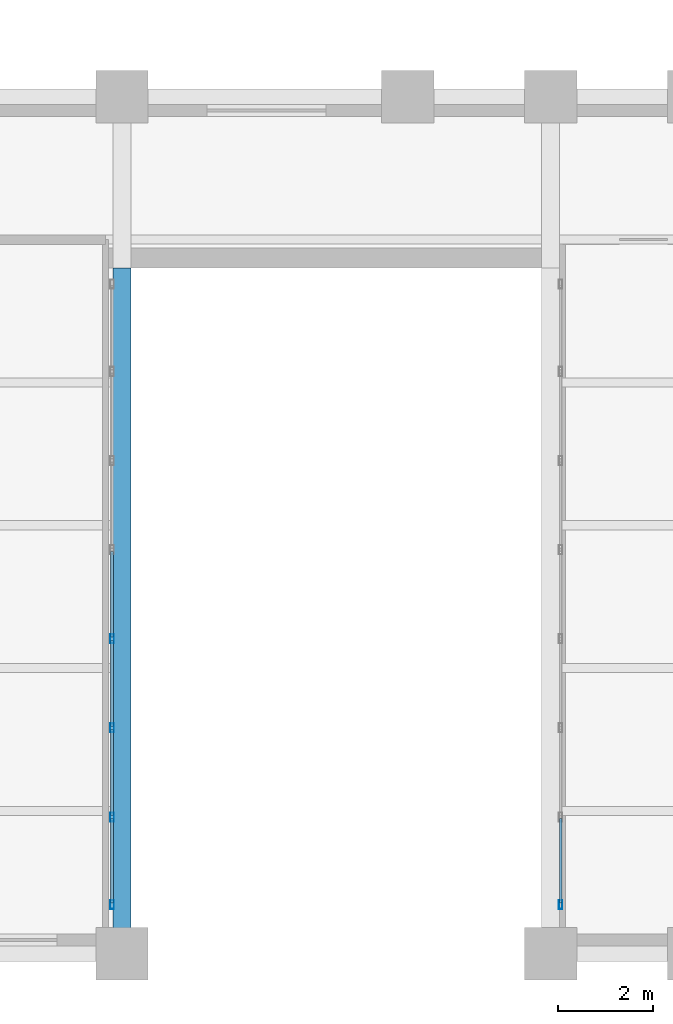
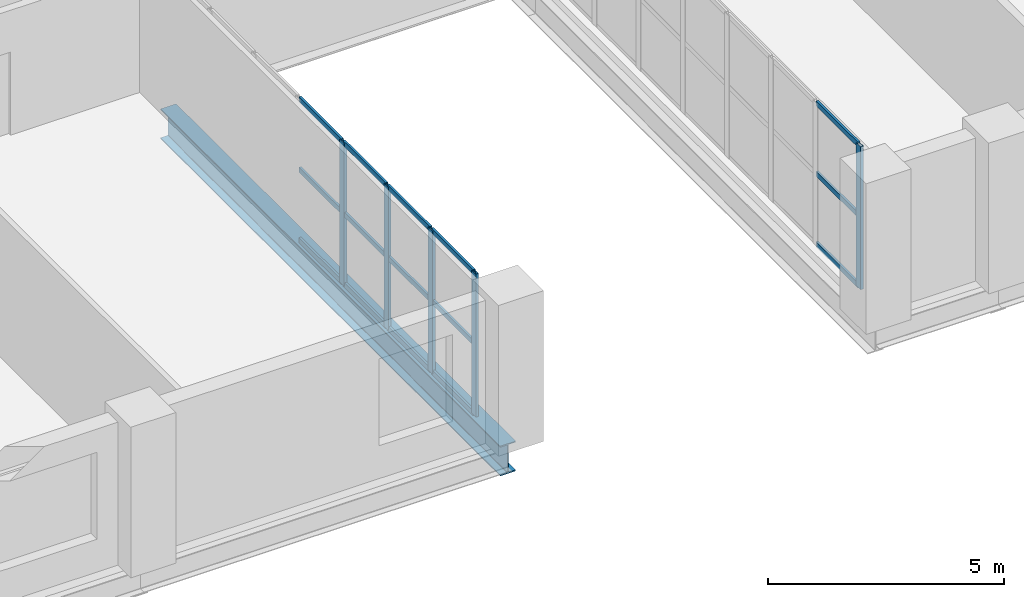
# One storey, part 2 of 10: 20 members, 1 beam, 2 elements without a shape of their own.
"""IFC4 building model written with IfcOpenShell, lengths in metres."""

from ifc_helpers import new_model, si_unit, direction, frame, origin, origin_2d, place, context, subcontext, project, spatial, hollow_rectangle, i_section, extrude, material, layer, layer_set, material_profile, profile_set, type_object, element, aggregate, save


model = new_model("IFC4")

# Units and contexts
model_context = context("Model", 3, precision=1e-05, world=origin(), true_north=direction((0.0, 1.0)))
body_context = subcontext(model_context, "Body", "Model", "MODEL_VIEW")
ifc_project = project(units=[si_unit("LENGTHUNIT", "METRE"), si_unit("AREAUNIT", "SQUARE_METRE"), si_unit("VOLUMEUNIT", "CUBIC_METRE"), si_unit("PLANEANGLEUNIT", "RADIAN"), si_unit("MASSUNIT", "GRAM", prefix="KILO")], contexts=[model_context])

# Site, building, storey
site_placement = place(None, origin())
site = spatial("IfcSite", under=ifc_project, at=site_placement, CompositionType="ELEMENT")
building_placement = place(site_placement, origin())
building = spatial("IfcBuilding", under=site, at=building_placement, Name="Mawjdan Bourse Tower", CompositionType="ELEMENT")
storey_placement = place(building_placement, frame((0.0, 0.0, 124.5)))
storey = spatial("IfcBuildingStorey", under=building, at=storey_placement, Name="L29", CompositionType="ELEMENT", Elevation=124.5)

# Beam
ifc_material_1 = material(Name="Structural Steel S355", Category="steel")
ifc_material_profile_1 = material_profile(ifc_material_1, i_section(OverallWidth=0.381103515625, OverallDepth=0.77294921875, WebThickness=0.0166015625, FlangeThickness=0.027099609375, FilletRadius=0.021728515625, at=origin_2d()), Name="W30X173")
ifc_profile_set_1 = profile_set([ifc_material_profile_1], Name="Structural Steel S355")
beam_type = type_object("IfcBeamType", Name="GRD-W30X173", PredefinedType="BEAM", material=ifc_profile_set_1)
beam_placement = place(storey_placement, frame((42.0, 3.0, -0.58642578125), z_axis=(0.0, 1.0, 0.0), x_axis=(-1.0, 0.0, 0.0)))
element("IfcBeam", 1, at=beam_placement, inside=storey, type_object=beam_type, Name="L29 East Wing Clear-Span Girder 003", PredefinedType="BEAM", context=body_context, shape_type="SweptSolid", body=[
    extrude(i_section(OverallWidth=0.381103515625, OverallDepth=0.77294921875, WebThickness=0.0166015625, FlangeThickness=0.027099609375, FilletRadius=0.021728515625, at=origin_2d()), origin(), (0.0, 0.0, 1.0), 14.39990234375),
])

# Curtain wall, members
ifc_material_2 = material(Name="Thermally Broken Aluminium and Solar Glass", Category="aluminium")
ifc_layer = layer(ifc_material_2, 0.219970703125)
ifc_layer_set = layer_set([ifc_layer], Name="Thermally Broken Aluminium and Solar Glass")
curtain_wall_type = type_object("IfcCurtainWallType", Name="CW-POR", PredefinedType="USERDEFINED", material=ifc_layer_set)
curtain_wall_1_placement = place(storey_placement, origin())
curtain_wall_1 = element("IfcCurtainWall", 2, at=curtain_wall_1_placement, inside=storey, type_object=curtain_wall_type, Name="L29 East Void Portal Glazed Cheek 1", ObjectType="VOID PORTAL CURTAIN WALL", PredefinedType="USERDEFINED")
ifc_material_3 = material(Name="Thermally Broken Anodised Aluminium", Category="aluminium")
ifc_material_profile_2 = material_profile(ifc_material_3, hollow_rectangle(XDim=0.070068359375, YDim=0.18994140625, WallThickness=0.00439453125, at=origin_2d()), Name="ALU-MUL-190X70")
ifc_profile_set_2 = profile_set([ifc_material_profile_2], Name="Thermally Broken Anodised Aluminium")
member_type_1 = type_object("IfcMemberType", Name="MUL-ALU-MUL-190X70", PredefinedType="MULLION", material=ifc_profile_set_2)
member_1_placement = place(storey_placement, frame((41.7900390625, 4.034912109375, 0.0), z_axis=(0.0, 0.0, 1.0), x_axis=(-1.0, 0.0, 0.0)))
member_1 = element("IfcMember", 3, at=member_1_placement, type_object=member_type_1, Name="CW-POR-L29-POR-E1 mullion 1", PredefinedType="MULLION", context=body_context, shape_type="SweptSolid", body=[
    extrude(hollow_rectangle(XDim=0.070068359375, YDim=0.18994140625, WallThickness=0.00439453125, at=origin_2d()), origin(), (0.0, 0.0, 1.0), 3.699951171875),
])
member_2_placement = place(storey_placement, frame((41.7900390625, 5.871337890625, 0.0), z_axis=(0.0, 0.0, 1.0), x_axis=(-1.0, 0.0, 0.0)))
member_2 = element("IfcMember", 4, at=member_2_placement, type_object=member_type_1, Name="CW-POR-L29-POR-E1 mullion 2", PredefinedType="MULLION", context=body_context, shape_type="SweptSolid", body=[
    extrude(hollow_rectangle(XDim=0.070068359375, YDim=0.18994140625, WallThickness=0.00439453125, at=origin_2d()), origin(), (0.0, 0.0, 1.0), 3.699951171875),
])
member_3_placement = place(storey_placement, frame((41.7900390625, 7.742919921875, 0.0), z_axis=(0.0, 0.0, 1.0), x_axis=(-1.0, 0.0, 0.0)))
member_3 = element("IfcMember", 5, at=member_3_placement, type_object=member_type_1, Name="CW-POR-L29-POR-E1 mullion 3", PredefinedType="MULLION", context=body_context, shape_type="SweptSolid", body=[
    extrude(hollow_rectangle(XDim=0.070068359375, YDim=0.18994140625, WallThickness=0.00439453125, at=origin_2d()), origin(), (0.0, 0.0, 1.0), 3.699951171875),
])
member_4_placement = place(storey_placement, frame((41.7900390625, 9.6142578125, 0.0), z_axis=(0.0, 0.0, 1.0), x_axis=(-1.0, 0.0, 0.0)))
member_4 = element("IfcMember", 6, at=member_4_placement, type_object=member_type_1, Name="CW-POR-L29-POR-E1 mullion 4", PredefinedType="MULLION", context=body_context, shape_type="SweptSolid", body=[
    extrude(hollow_rectangle(XDim=0.070068359375, YDim=0.18994140625, WallThickness=0.00439453125, at=origin_2d()), origin(), (0.0, 0.0, 1.0), 3.699951171875),
])

# Curtain wall, member
curtain_wall_2_placement = place(storey_placement, origin())
curtain_wall_2 = element("IfcCurtainWall", 7, at=curtain_wall_2_placement, inside=storey, type_object=curtain_wall_type, Name="L29 East Void Portal Glazed Cheek 3", ObjectType="VOID PORTAL CURTAIN WALL", PredefinedType="USERDEFINED")
member_5_placement = place(storey_placement, frame((51.2099609375, 4.034912109375, 0.0), z_axis=(0.0, 0.0, 1.0), x_axis=(1.0, 0.0, 0.0)))
member_5 = element("IfcMember", 8, at=member_5_placement, type_object=member_type_1, Name="CW-POR-L29-POR-E3 mullion 8", PredefinedType="MULLION", context=body_context, shape_type="SweptSolid", body=[
    extrude(hollow_rectangle(XDim=0.070068359375, YDim=0.18994140625, WallThickness=0.00439453125, at=origin_2d()), origin(), (0.0, 0.0, 1.0), 3.699951171875),
])

# Member
ifc_material_profile_3 = material_profile(ifc_material_3, hollow_rectangle(XDim=0.054931640625, YDim=0.1298828125, WallThickness=0.00341796875, at=origin_2d()), Name="ALU-TRN-130X55")
ifc_profile_set_3 = profile_set([ifc_material_profile_3], Name="Thermally Broken Anodised Aluminium")
member_type_2 = type_object("IfcMemberType", Name="TRN-ALU-TRN-130X55", PredefinedType="USERDEFINED", material=ifc_profile_set_3)
member_6_placement = place(storey_placement, frame((41.7900390625, 4.070068359375, 0.027587890625), z_axis=(0.0, 1.0, 0.0), x_axis=(-1.0, 0.0, 0.0)))
member_6 = element("IfcMember", 9, at=member_6_placement, type_object=member_type_2, Name="CW-POR-L29-POR-E1 transom 1.1", ObjectType="TRANSOM", PredefinedType="USERDEFINED", context=body_context, shape_type="SweptSolid", body=[
    extrude(hollow_rectangle(XDim=0.054931640625, YDim=0.1298828125, WallThickness=0.00341796875, at=origin_2d()), origin(), (0.0, 0.0, 1.0), 1.766357421875),
])

member_7_placement = place(storey_placement, frame((41.7900390625, 4.070068359375, 1.85009765625), z_axis=(0.0, 1.0, 0.0), x_axis=(-1.0, 0.0, 0.0)))
member_7 = element("IfcMember", 10, at=member_7_placement, type_object=member_type_2, Name="CW-POR-L29-POR-E1 transom 1.2", ObjectType="TRANSOM", PredefinedType="USERDEFINED", context=body_context, shape_type="SweptSolid", body=[
    extrude(hollow_rectangle(XDim=0.054931640625, YDim=0.1298828125, WallThickness=0.00341796875, at=origin_2d()), origin(), (0.0, 0.0, 1.0), 1.766357421875),
])

member_8_placement = place(storey_placement, frame((41.7900390625, 4.070068359375, 3.672607421875), z_axis=(0.0, 1.0, 0.0), x_axis=(-1.0, 0.0, 0.0)))
member_8 = element("IfcMember", 11, at=member_8_placement, type_object=member_type_2, Name="CW-POR-L29-POR-E1 transom 1.3", ObjectType="TRANSOM", PredefinedType="USERDEFINED", context=body_context, shape_type="SweptSolid", body=[
    extrude(hollow_rectangle(XDim=0.054931640625, YDim=0.1298828125, WallThickness=0.00341796875, at=origin_2d()), origin(), (0.0, 0.0, 1.0), 1.766357421875),
])

member_9_placement = place(storey_placement, frame((41.7900390625, 5.906494140625, 0.027587890625), z_axis=(0.0, 1.0, 0.0), x_axis=(-1.0, 0.0, 0.0)))
member_9 = element("IfcMember", 12, at=member_9_placement, type_object=member_type_2, Name="CW-POR-L29-POR-E1 transom 2.1", ObjectType="TRANSOM", PredefinedType="USERDEFINED", context=body_context, shape_type="SweptSolid", body=[
    extrude(hollow_rectangle(XDim=0.054931640625, YDim=0.1298828125, WallThickness=0.00341796875, at=origin_2d()), origin(), (0.0, 0.0, 1.0), 1.80126953125),
])

member_10_placement = place(storey_placement, frame((41.7900390625, 5.906494140625, 1.85009765625), z_axis=(0.0, 1.0, 0.0), x_axis=(-1.0, 0.0, 0.0)))
member_10 = element("IfcMember", 13, at=member_10_placement, type_object=member_type_2, Name="CW-POR-L29-POR-E1 transom 2.2", ObjectType="TRANSOM", PredefinedType="USERDEFINED", context=body_context, shape_type="SweptSolid", body=[
    extrude(hollow_rectangle(XDim=0.054931640625, YDim=0.1298828125, WallThickness=0.00341796875, at=origin_2d()), origin(), (0.0, 0.0, 1.0), 1.80126953125),
])

member_11_placement = place(storey_placement, frame((41.7900390625, 5.906494140625, 3.672607421875), z_axis=(0.0, 1.0, 0.0), x_axis=(-1.0, 0.0, 0.0)))
member_11 = element("IfcMember", 14, at=member_11_placement, type_object=member_type_2, Name="CW-POR-L29-POR-E1 transom 2.3", ObjectType="TRANSOM", PredefinedType="USERDEFINED", context=body_context, shape_type="SweptSolid", body=[
    extrude(hollow_rectangle(XDim=0.054931640625, YDim=0.1298828125, WallThickness=0.00341796875, at=origin_2d()), origin(), (0.0, 0.0, 1.0), 1.80126953125),
])

member_12_placement = place(storey_placement, frame((41.7900390625, 7.77783203125, 0.027587890625), z_axis=(0.0, 1.0, 0.0), x_axis=(-1.0, 0.0, 0.0)))
member_12 = element("IfcMember", 15, at=member_12_placement, type_object=member_type_2, Name="CW-POR-L29-POR-E1 transom 3.1", ObjectType="TRANSOM", PredefinedType="USERDEFINED", context=body_context, shape_type="SweptSolid", body=[
    extrude(hollow_rectangle(XDim=0.054931640625, YDim=0.1298828125, WallThickness=0.00341796875, at=origin_2d()), origin(), (0.0, 0.0, 1.0), 1.801513671875),
])

member_13_placement = place(storey_placement, frame((41.7900390625, 7.77783203125, 1.85009765625), z_axis=(0.0, 1.0, 0.0), x_axis=(-1.0, 0.0, 0.0)))
member_13 = element("IfcMember", 16, at=member_13_placement, type_object=member_type_2, Name="CW-POR-L29-POR-E1 transom 3.2", ObjectType="TRANSOM", PredefinedType="USERDEFINED", context=body_context, shape_type="SweptSolid", body=[
    extrude(hollow_rectangle(XDim=0.054931640625, YDim=0.1298828125, WallThickness=0.00341796875, at=origin_2d()), origin(), (0.0, 0.0, 1.0), 1.801513671875),
])

member_14_placement = place(storey_placement, frame((41.7900390625, 7.77783203125, 3.672607421875), z_axis=(0.0, 1.0, 0.0), x_axis=(-1.0, 0.0, 0.0)))
member_14 = element("IfcMember", 17, at=member_14_placement, type_object=member_type_2, Name="CW-POR-L29-POR-E1 transom 3.3", ObjectType="TRANSOM", PredefinedType="USERDEFINED", context=body_context, shape_type="SweptSolid", body=[
    extrude(hollow_rectangle(XDim=0.054931640625, YDim=0.1298828125, WallThickness=0.00341796875, at=origin_2d()), origin(), (0.0, 0.0, 1.0), 1.801513671875),
])

member_15_placement = place(storey_placement, frame((41.7900390625, 9.649169921875, 0.027587890625), z_axis=(0.0, 1.0, 0.0), x_axis=(-1.0, 0.0, 0.0)))
member_15 = element("IfcMember", 18, at=member_15_placement, type_object=member_type_2, Name="CW-POR-L29-POR-E1 transom 4.1", ObjectType="TRANSOM", PredefinedType="USERDEFINED", context=body_context, shape_type="SweptSolid", body=[
    extrude(hollow_rectangle(XDim=0.054931640625, YDim=0.1298828125, WallThickness=0.00341796875, at=origin_2d()), origin(), (0.0, 0.0, 1.0), 1.801513671875),
])

member_16_placement = place(storey_placement, frame((41.7900390625, 9.649169921875, 1.85009765625), z_axis=(0.0, 1.0, 0.0), x_axis=(-1.0, 0.0, 0.0)))
member_16 = element("IfcMember", 19, at=member_16_placement, type_object=member_type_2, Name="CW-POR-L29-POR-E1 transom 4.2", ObjectType="TRANSOM", PredefinedType="USERDEFINED", context=body_context, shape_type="SweptSolid", body=[
    extrude(hollow_rectangle(XDim=0.054931640625, YDim=0.1298828125, WallThickness=0.00341796875, at=origin_2d()), origin(), (0.0, 0.0, 1.0), 1.801513671875),
])

member_17_placement = place(storey_placement, frame((41.7900390625, 9.649169921875, 3.672607421875), z_axis=(0.0, 1.0, 0.0), x_axis=(-1.0, 0.0, 0.0)))
member_17 = element("IfcMember", 20, at=member_17_placement, type_object=member_type_2, Name="CW-POR-L29-POR-E1 transom 4.3", ObjectType="TRANSOM", PredefinedType="USERDEFINED", context=body_context, shape_type="SweptSolid", body=[
    extrude(hollow_rectangle(XDim=0.054931640625, YDim=0.1298828125, WallThickness=0.00341796875, at=origin_2d()), origin(), (0.0, 0.0, 1.0), 1.801513671875),
])

aggregate(curtain_wall_1, [member_1, member_2, member_3, member_4, member_6, member_7, member_8, member_9, member_10, member_11, member_12, member_13, member_14, member_15, member_16, member_17])

member_18_placement = place(storey_placement, frame((51.2099609375, 5.83642578125, 0.027587890625), z_axis=(0.0, -1.0, 0.0), x_axis=(1.0, 0.0, 0.0)))
member_18 = element("IfcMember", 21, at=member_18_placement, type_object=member_type_2, Name="CW-POR-L29-POR-E3 transom 7.1", ObjectType="TRANSOM", PredefinedType="USERDEFINED", context=body_context, shape_type="SweptSolid", body=[
    extrude(hollow_rectangle(XDim=0.054931640625, YDim=0.1298828125, WallThickness=0.00341796875, at=origin_2d()), origin(), (0.0, 0.0, 1.0), 1.766357421875),
])

member_19_placement = place(storey_placement, frame((51.2099609375, 5.83642578125, 1.85009765625), z_axis=(0.0, -1.0, 0.0), x_axis=(1.0, 0.0, 0.0)))
member_19 = element("IfcMember", 22, at=member_19_placement, type_object=member_type_2, Name="CW-POR-L29-POR-E3 transom 7.2", ObjectType="TRANSOM", PredefinedType="USERDEFINED", context=body_context, shape_type="SweptSolid", body=[
    extrude(hollow_rectangle(XDim=0.054931640625, YDim=0.1298828125, WallThickness=0.00341796875, at=origin_2d()), origin(), (0.0, 0.0, 1.0), 1.766357421875),
])

member_20_placement = place(storey_placement, frame((51.2099609375, 5.83642578125, 3.672607421875), z_axis=(0.0, -1.0, 0.0), x_axis=(1.0, 0.0, 0.0)))
member_20 = element("IfcMember", 23, at=member_20_placement, type_object=member_type_2, Name="CW-POR-L29-POR-E3 transom 7.3", ObjectType="TRANSOM", PredefinedType="USERDEFINED", context=body_context, shape_type="SweptSolid", body=[
    extrude(hollow_rectangle(XDim=0.054931640625, YDim=0.1298828125, WallThickness=0.00341796875, at=origin_2d()), origin(), (0.0, 0.0, 1.0), 1.766357421875),
])

aggregate(curtain_wall_2, [member_5, member_18, member_19, member_20])

save(model, "model.ifc")
